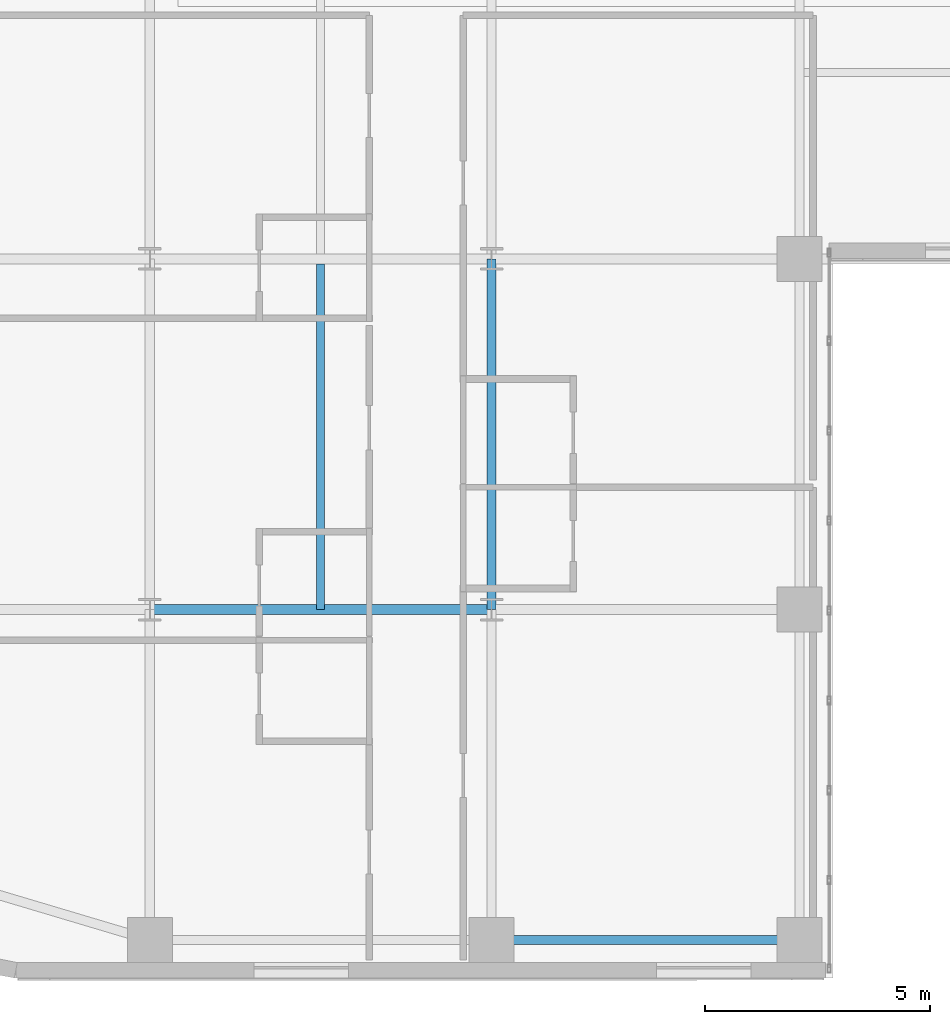
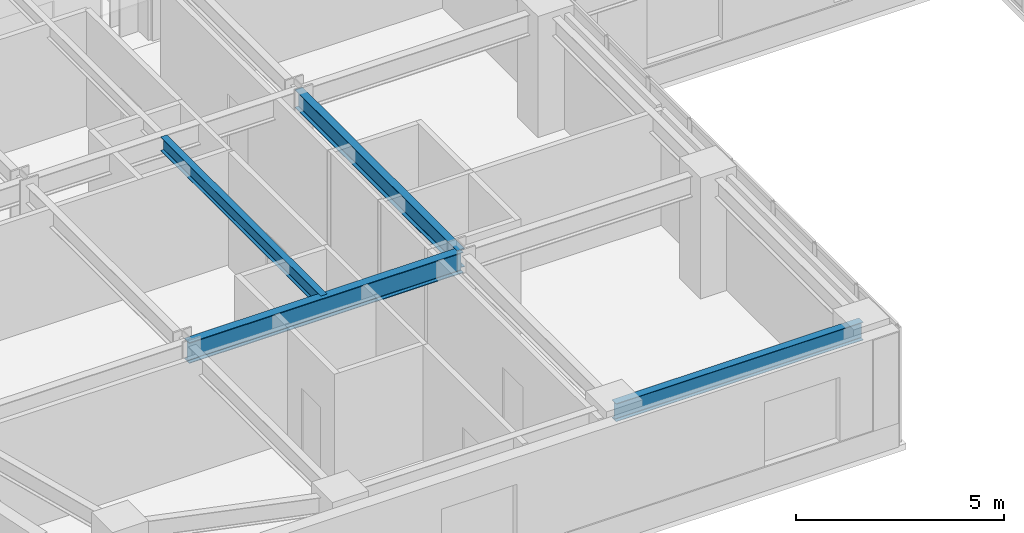
# One storey, part 5 of 37: 4 beams.
"""IFC4 building model written with IfcOpenShell, lengths in metres."""

from ifc_helpers import new_model, si_unit, direction, frame, origin, origin_2d, place, context, subcontext, project, spatial, i_section, extrude, source, transform, mapped, material, material_profile, profile_set, type_object, type_shapes, element, save


model = new_model("IFC4")

# Units and contexts
model_context = context("Model", 3, precision=1e-05, world=origin(), true_north=direction((0.0, 1.0)))
body_context = subcontext(model_context, "Body", "Model", "MODEL_VIEW")
ifc_project = project(units=[si_unit("LENGTHUNIT", "METRE"), si_unit("AREAUNIT", "SQUARE_METRE"), si_unit("VOLUMEUNIT", "CUBIC_METRE"), si_unit("PLANEANGLEUNIT", "RADIAN"), si_unit("MASSUNIT", "GRAM", prefix="KILO")], contexts=[model_context])

# Site, building, storey
site_placement = place(None, origin())
site = spatial("IfcSite", under=ifc_project, at=site_placement, CompositionType="ELEMENT")
building_placement = place(site_placement, origin())
building = spatial("IfcBuilding", under=site, at=building_placement, Name="Tolvann Quenvar Hotel", CompositionType="ELEMENT")
storey_placement = place(building_placement, frame((0.0, 0.0, 53.300048828125)))
storey = spatial("IfcBuildingStorey", under=building, at=storey_placement, Name="L12", CompositionType="ELEMENT", Elevation=53.300048828125)

# Beams
ifc_material = material(Name="Steel Grade 350", Category="steel")
ifc_material_profile_1 = material_profile(ifc_material, i_section(OverallWidth=0.208984375, OverallDepth=0.528076171875, WebThickness=0.009521484375, FlangeThickness=0.01318359375, FilletRadius=0.013916015625, at=origin_2d()), Name="530UB82")
ifc_profile_set_1 = profile_set([ifc_material_profile_1], Name="Steel Grade 350")
beam_type_1 = type_object("IfcBeamType", Name="BM_SPAND_530UB82", PredefinedType="SPANDREL", material=ifc_profile_set_1)
shared_shape_1 = source(origin(), body_context, "Body", "SweptSolid", [
    extrude(i_section(OverallWidth=0.208984375, OverallDepth=0.528076171875, WebThickness=0.009521484375, FlangeThickness=0.01318359375, FilletRadius=0.013916015625, at=origin_2d()), origin(), (0.0, 0.0, 1.0), 6.85009765625),
])
type_shapes(beam_type_1, [shared_shape_1])
beam_1_placement = place(storey_placement, frame((15.199951171875, 0.85009765625, 3.10595703125), z_axis=(1.0, 0.0, 0.0), x_axis=(0.0, 1.0, 0.0)))
element("IfcBeam", 1, at=beam_1_placement, inside=storey, type_object=beam_type_1, Name="BM-L12-EW-2-D2-E2", PredefinedType="SPANDREL", context=body_context, shape_type="MappedRepresentation", body=[
    mapped(shared_shape_1, transform((0.0, 0.0, 0.0), x_axis=(1.0, 0.0, 0.0), y_axis=(0.0, 1.0, 0.0), z_axis=(0.0, 0.0, 1.0), scale=1.0)),
])
ifc_material_profile_2 = material_profile(ifc_material, i_section(OverallWidth=0.22900390625, OverallDepth=0.612060546875, WebThickness=0.011962890625, FlangeThickness=0.01953125, FilletRadius=0.013916015625, at=origin_2d()), Name="610UB125")
ifc_profile_set_2 = profile_set([ifc_material_profile_2], Name="Steel Grade 350")
beam_type_2 = type_object("IfcBeamType", Name="BM_GIRD_610UB125", PredefinedType="BEAM", material=ifc_profile_set_2)
shared_shape_2 = source(origin(), body_context, "Body", "SweptSolid", [
    extrude(i_section(OverallWidth=0.22900390625, OverallDepth=0.612060546875, WebThickness=0.011962890625, FlangeThickness=0.01953125, FilletRadius=0.013916015625, at=origin_2d()), origin(), (0.0, 0.0, 1.0), 7.599853515625),
])
type_shapes(beam_type_2, [shared_shape_2])
beam_2_placement = place(storey_placement, frame((7.60009765625, 8.199951171875, 3.06396484375), z_axis=(1.0, 0.0, 0.0), x_axis=(0.0, 1.0, 0.0)))
element("IfcBeam", 2, at=beam_2_placement, inside=storey, type_object=beam_type_2, Name="BM-L12-EW-3-C3-D3", PredefinedType="BEAM", context=body_context, shape_type="MappedRepresentation", body=[
    mapped(shared_shape_2, transform((0.0, 0.0, 0.0), x_axis=(1.0, 0.0, 0.0), y_axis=(0.0, 1.0, 0.0), z_axis=(0.0, 0.0, 1.0), scale=1.0)),
])
ifc_material_profile_3 = material_profile(ifc_material, i_section(OverallWidth=0.208984375, OverallDepth=0.532958984375, WebThickness=0.01025390625, FlangeThickness=0.015625, FilletRadius=0.013916015625, at=origin_2d()), Name="530UB92")
ifc_profile_set_3 = profile_set([ifc_material_profile_3], Name="Steel Grade 350")
beam_type_3 = type_object("IfcBeamType", Name="BM_GIRD_530UB92", PredefinedType="BEAM", material=ifc_profile_set_3)
shared_shape_3 = source(origin(), body_context, "Body", "SweptSolid", [
    extrude(i_section(OverallWidth=0.208984375, OverallDepth=0.532958984375, WebThickness=0.01025390625, FlangeThickness=0.015625, FilletRadius=0.013916015625, at=origin_2d()), origin(), (0.0, 0.0, 1.0), 7.800048828125),
])
type_shapes(beam_type_3, [shared_shape_3])
beam_3_placement = place(storey_placement, frame((15.199951171875, 8.199951171875, 3.103515625), z_axis=(0.0, 1.0, 0.0), x_axis=(-1.0, 0.0, 0.0)))
element("IfcBeam", 3, at=beam_3_placement, inside=storey, type_object=beam_type_3, Name="BM-L12-NS-D3-D4", PredefinedType="BEAM", context=body_context, shape_type="MappedRepresentation", body=[
    mapped(shared_shape_3, transform((0.0, 0.0, 0.0), x_axis=(1.0, 0.0, 0.0), y_axis=(0.0, 1.0, 0.0), z_axis=(0.0, 0.0, 1.0), scale=1.0)),
])
ifc_material_profile_4 = material_profile(ifc_material, i_section(OverallWidth=0.177978515625, OverallDepth=0.406005859375, WebThickness=0.0078125, FlangeThickness=0.0126953125, FilletRadius=0.011474609375, at=origin_2d()), Name="410UB60")
ifc_profile_set_4 = profile_set([ifc_material_profile_4], Name="Steel Grade 350")
beam_type_4 = type_object("IfcBeamType", Name="BM_JOIST_410UB60", PredefinedType="JOIST", material=ifc_profile_set_4)
shared_shape_4 = source(origin(), body_context, "Body", "SweptSolid", [
    extrude(i_section(OverallWidth=0.177978515625, OverallDepth=0.406005859375, WebThickness=0.0078125, FlangeThickness=0.0126953125, FilletRadius=0.011474609375, at=origin_2d()), origin(), (0.0, 0.0, 1.0), 7.691650390625),
])
type_shapes(beam_type_4, [shared_shape_4])
beam_4_placement = place(storey_placement, frame((11.39990234375, 8.199951171875, 3.1669921875), z_axis=(0.0, 1.0, 0.0), x_axis=(-1.0, 0.0, 0.0)))
element("IfcBeam", 4, at=beam_4_placement, inside=storey, type_object=beam_type_4, Name="BJ-L12-114-82", PredefinedType="JOIST", context=body_context, shape_type="MappedRepresentation", body=[
    mapped(shared_shape_4, transform((0.0, 0.0, 0.0), x_axis=(1.0, 0.0, 0.0), y_axis=(0.0, 1.0, 0.0), z_axis=(0.0, 0.0, 1.0), scale=1.0)),
])

save(model, "model.ifc")
